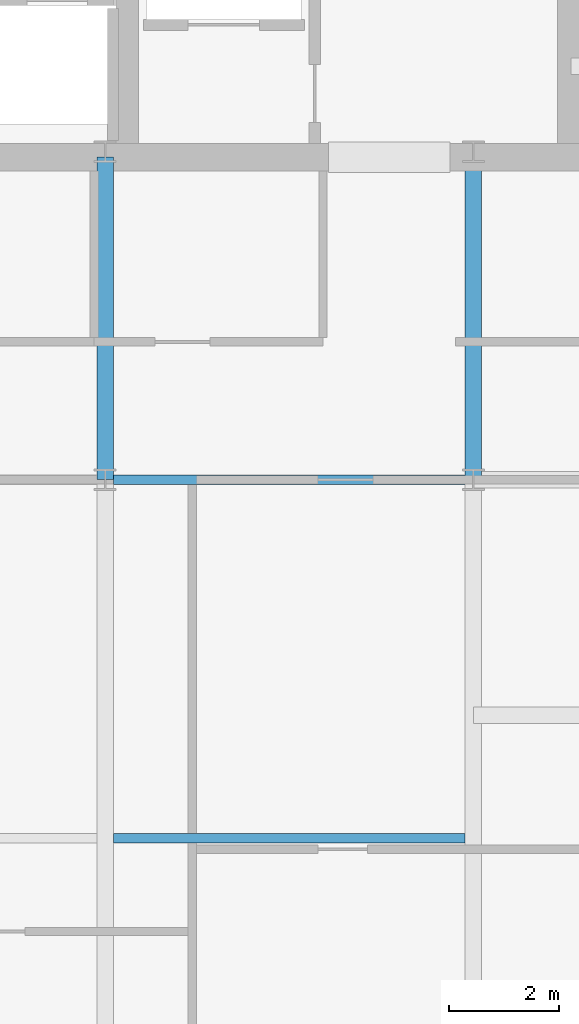
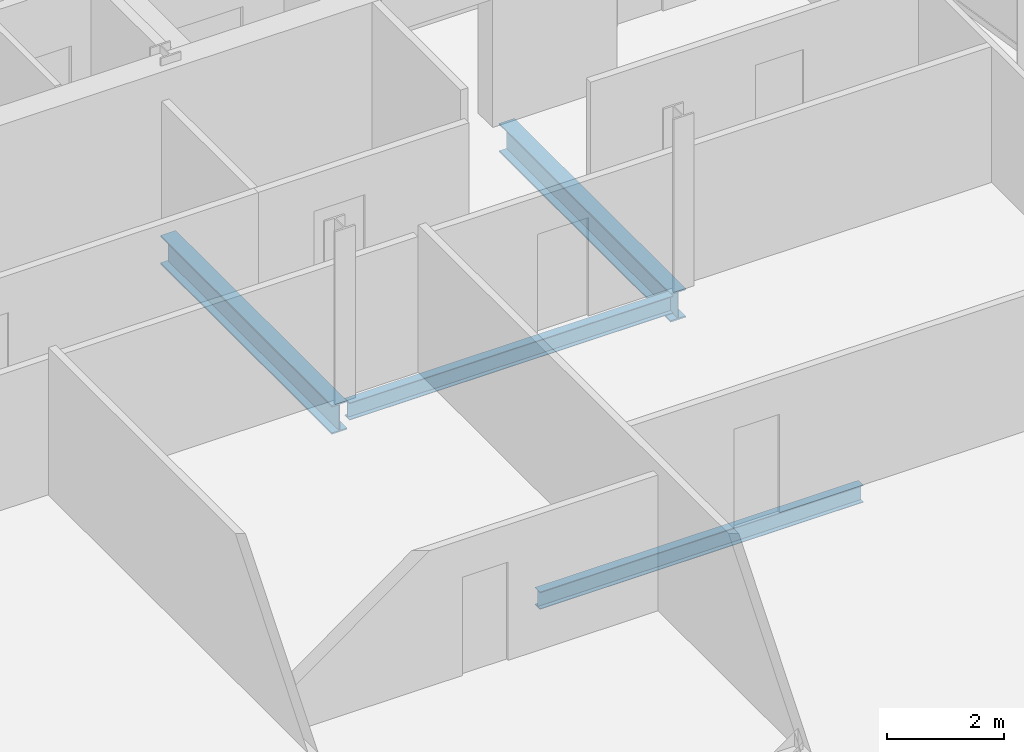
# One storey, part 15 of 27: 4 beams.
"""IFC4 building model written with IfcOpenShell, lengths in metres."""

from ifc_helpers import new_model, si_unit, direction, frame, origin, origin_2d, place, context, subcontext, project, spatial, i_section, extrude, material, material_profile, profile_set, type_object, element, save


model = new_model("IFC4")

# Units and contexts
model_context = context("Model", 3, precision=1e-05, world=origin(), true_north=direction((0.0, 1.0)))
body_context = subcontext(model_context, "Body", "Model", "MODEL_VIEW")
ifc_project = project(units=[si_unit("LENGTHUNIT", "METRE"), si_unit("AREAUNIT", "SQUARE_METRE"), si_unit("VOLUMEUNIT", "CUBIC_METRE"), si_unit("PLANEANGLEUNIT", "RADIAN"), si_unit("MASSUNIT", "GRAM", prefix="KILO")], contexts=[model_context])

# Site, building, storey
site_placement = place(None, origin())
site = spatial("IfcSite", under=ifc_project, at=site_placement, CompositionType="ELEMENT")
building_placement = place(site_placement, origin())
building = spatial("IfcBuilding", under=site, at=building_placement, Name="Khoronbel Lancet Exchange", CompositionType="ELEMENT")
storey_placement = place(building_placement, frame((0.0, 0.0, 332.60009765625)))
storey = spatial("IfcBuildingStorey", under=building, at=storey_placement, Name="L86", CompositionType="ELEMENT", Elevation=332.60009765625)

# Beams
ifc_material = material(Name="Steel S355", Category="steel")
ifc_material_profile_1 = material_profile(ifc_material, i_section(OverallWidth=0.300048828125, OverallDepth=0.60009765625, WebThickness=0.015380859375, FlangeThickness=0.030029296875, at=origin_2d()), Name="HEB 600")
ifc_profile_set_1 = profile_set([ifc_material_profile_1], Name="Steel S355")
beam_type_1 = type_object("IfcBeamType", Name="BM-BG5", PredefinedType="BEAM", material=ifc_profile_set_1)
for number, where, z_axis, x_axis, name in (
    (1, (48.0, 35.699951171875, -0.460205078125), (0.0, 1.0, 0.0), (-1.0, 0.0, 0.0), "Level L86 spine tie girder GN5"),
    (2, (54.675048828125, 35.699951171875, -0.460205078125), (0.0, 1.0, 0.0), (-1.0, 0.0, 0.0), "Level L86 spine tie girder GN6"),
):
    element("IfcBeam", number, at=place(storey_placement, frame(where, z_axis=z_axis, x_axis=x_axis)), inside=storey, type_object=beam_type_1, Name=name, PredefinedType="BEAM", context=body_context, shape_type="SweptSolid", body=[
        extrude(i_section(OverallWidth=0.300048828125, OverallDepth=0.60009765625, WebThickness=0.015380859375, FlangeThickness=0.030029296875, at=origin_2d()), origin(), (0.0, 0.0, 1.0), 5.85009765625),
    ])
ifc_material_profile_2 = material_profile(ifc_material, i_section(OverallWidth=0.169921875, OverallDepth=0.360107421875, WebThickness=0.008056640625, FlangeThickness=0.0126953125, at=origin_2d()), Name="IPE 360")
ifc_profile_set_2 = profile_set([ifc_material_profile_2], Name="Steel S355")
beam_type_2 = type_object("IfcBeamType", Name="BM-BJ6", PredefinedType="JOIST", material=ifc_profile_set_2)
for number, where, z_axis, x_axis, name in (
    (3, (48.14990234375, 29.199951171875, -0.340087890625), (1.0, 0.0, 0.0), (0.0, 1.0, 0.0), "Level L86 secondary composite joist J09"),
    (4, (48.14990234375, 35.699951171875, -0.340087890625), (1.0, 0.0, 0.0), (0.0, 1.0, 0.0), "Level L86 secondary composite joist J12"),
):
    element("IfcBeam", number, at=place(storey_placement, frame(where, z_axis=z_axis, x_axis=x_axis)), inside=storey, type_object=beam_type_2, Name=name, PredefinedType="JOIST", context=body_context, shape_type="SweptSolid", body=[
        extrude(i_section(OverallWidth=0.169921875, OverallDepth=0.360107421875, WebThickness=0.008056640625, FlangeThickness=0.0126953125, at=origin_2d()), origin(), (0.0, 0.0, 1.0), 6.375),
    ])

save(model, "model.ifc")
